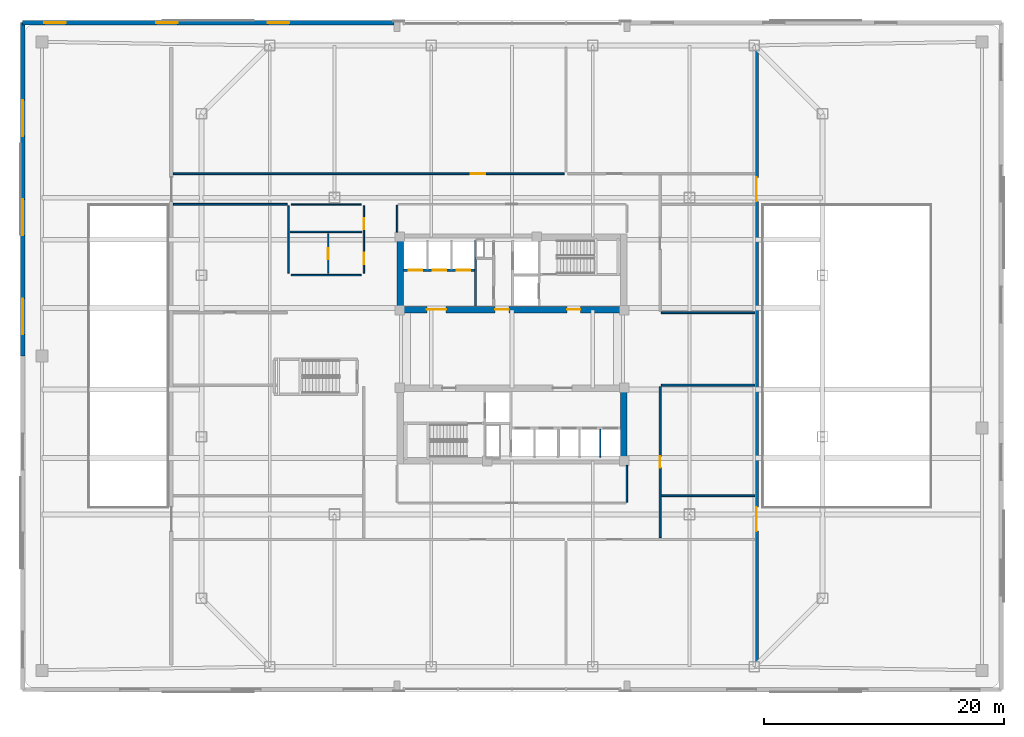
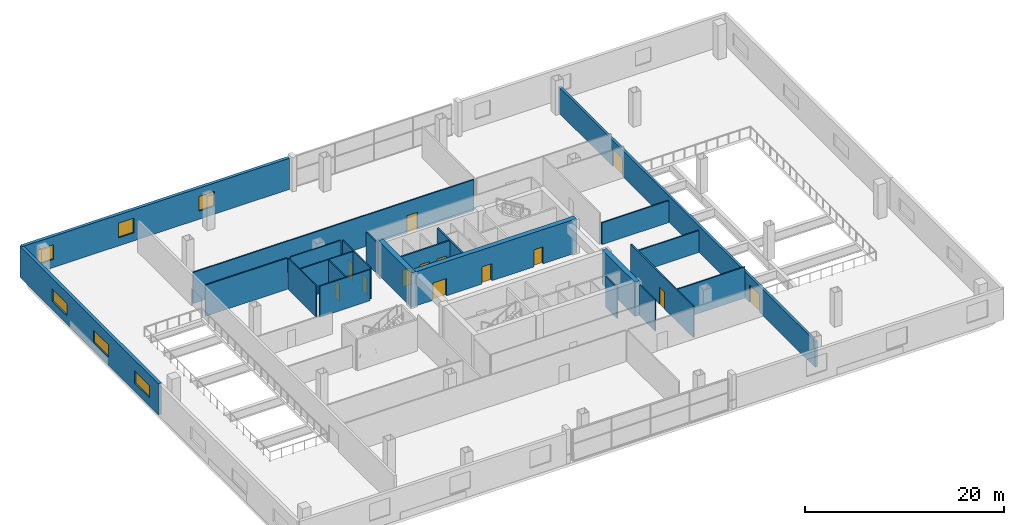
# One storey, part 13 of 21: 23 walls, 13 doors, 6 windows, 19 openings.
"""IFC4 building model written with IfcOpenShell, lengths in metres."""

import ifcopenshell
import ifcopenshell.guid

model = None  # the IFC model being written
_history = None  # IfcOwnerHistory: only IFC2X3 demands one
_inside = {}  # id of a spatial element -> (the spatial element, [elements in it])
_under = {}  # id of a project, library or spatial element -> (it, [spatial elements below it])
_declared = {}  # id of a project -> (the project, [libraries it declares])
_typed = {}  # id of a type object -> (the type object, [elements of that type])
_made_of = {}  # id of a material, layer set ... -> (it, [elements and type objects made of it])


def new_model(schema):
    """Start an empty IFC model of exactly this schema.

    Asked for "IFC4X3", IfcOpenShell would pick the latest addendum, in which some entities
    have other attributes; the version numbers below select the first issue.
    IFC2X3 requires an IfcOwnerHistory on every rooted entity: one is made here for all.
    """
    global model, _history
    if schema == "IFC4X3":
        model = ifcopenshell.file(schema_version=(4, 3, 0, 0))
    else:
        model = ifcopenshell.file(schema=schema)
    _inside.clear()
    _under.clear()
    _declared.clear()
    _typed.clear()
    _made_of.clear()
    _history = None
    if model.schema == "IFC2X3":
        org = make("IfcOrganization", Name="unknown")
        user = make(
            "IfcPersonAndOrganization",
            ThePerson=make("IfcPerson", FamilyName="unknown"),
            TheOrganization=org,
        )
        app = make(
            "IfcApplication",
            ApplicationDeveloper=org,
            Version="unknown",
            ApplicationFullName="unknown",
            ApplicationIdentifier="unknown",
        )
        _history = make(
            "IfcOwnerHistory",
            OwningUser=user,
            OwningApplication=app,
            ChangeAction="ADDED",
            CreationDate=0,
        )
    return model


def make(cls, **values):
    """One entity of the class cls with the attributes given. An attribute that is None is left unset."""
    return model.create_entity(
        cls, **{name: value for name, value in values.items() if value is not None}
    )


def rooted(cls, **values):
    """An entity with a GlobalId (a new one), such as an element, a storey or a relation."""
    return make(cls, GlobalId=ifcopenshell.guid.new(), OwnerHistory=_history, **values)


def si_unit(unit_type, name, prefix=None):
    """IfcSIUnit, for example si_unit("LENGTHUNIT", "METRE", prefix="MILLI")."""
    return make("IfcSIUnit", UnitType=unit_type, Prefix=prefix, Name=name)


def assignment(units):
    """IfcUnitAssignment: the units of a project."""
    return None if units is None else make("IfcUnitAssignment", Units=units)


def point(xyz):
    """IfcCartesianPoint."""
    return None if xyz is None else make("IfcCartesianPoint", Coordinates=xyz)


def direction(xyz):
    """IfcDirection."""
    return None if xyz is None else make("IfcDirection", DirectionRatios=xyz)


def frame(location, z_axis=None, x_axis=None):
    """IfcAxis2Placement3D, a coordinate frame: its origin and axes. An axis left out is left unset."""
    return make(
        "IfcAxis2Placement3D",
        Location=point(location),
        Axis=direction(z_axis),
        RefDirection=direction(x_axis),
    )


def frame_2d(location, x_axis=None):
    """IfcAxis2Placement2D, a coordinate frame in the plane: its origin and x axis."""
    return make(
        "IfcAxis2Placement2D", Location=point(location), RefDirection=direction(x_axis)
    )


def origin():
    """The frame at (0, 0, 0) with its axes left unset."""
    return frame((0.0, 0.0, 0.0))


def place(relative_to, where):
    """IfcLocalPlacement: puts the frame where relative to a parent placement (None: the world)."""
    return make(
        "IfcLocalPlacement", PlacementRelTo=relative_to, RelativePlacement=where
    )


def context(
    kind, dimensions, precision=None, world=None, true_north=None, identifier=None
):
    """IfcGeometricRepresentationContext, for example the 3D "Model" context."""
    return make(
        "IfcGeometricRepresentationContext",
        ContextIdentifier=identifier,
        ContextType=kind,
        CoordinateSpaceDimension=dimensions,
        Precision=precision,
        WorldCoordinateSystem=world,
        TrueNorth=true_north,
    )


def subcontext(parent, identifier, kind, view, scale=None):
    """IfcGeometricRepresentationSubContext, for example "Body" below "Model"."""
    return make(
        "IfcGeometricRepresentationSubContext",
        ContextIdentifier=identifier,
        ContextType=kind,
        ParentContext=parent,
        TargetScale=scale,
        TargetView=view,
    )


def project(units=None, contexts=None):
    """IfcProject with its units and contexts."""
    return rooted(
        "IfcProject",
        Name="project",
        RepresentationContexts=contexts,
        UnitsInContext=assignment(units),
    )


def spatial(cls, under=None, at=None, **own):
    """A site, building, storey or space (cls), placed at a placement, below another one or the project."""
    s = rooted(cls, ObjectPlacement=at, **own)
    if under is not None:
        _under.setdefault(under.id(), (under, []))[1].append(s)
    return s


def profile(cls, at=None, kind="AREA", **sizes):
    """A parametric profile (cls). Its sizes go by their IFC names, for example OverallWidth=200.0."""
    return make(cls, ProfileType=kind, Position=at, **sizes)


def rectangle(**sizes):
    """IfcRectangleProfileDef."""
    return profile("IfcRectangleProfileDef", **sizes)


def extrude(swept, where, along, depth):
    """IfcExtrudedAreaSolid: the profile swept, set in the frame where, extruded along a direction by depth."""
    return make(
        "IfcExtrudedAreaSolid",
        SweptArea=swept,
        Position=where,
        ExtrudedDirection=direction(along),
        Depth=depth,
    )


def shape(context_of_items, identifier, shape_type, items):
    """IfcShapeRepresentation: the items that make up one representation, for example the "Body"."""
    return make(
        "IfcShapeRepresentation",
        ContextOfItems=context_of_items,
        RepresentationIdentifier=identifier,
        RepresentationType=shape_type,
        Items=items,
    )


def material(Name=None, Category=None):
    """IfcMaterial."""
    return make("IfcMaterial", Name=Name, Category=Category)


def layer(
    of_material, thickness, ventilated=None, Name=None, Category=None, Priority=None
):
    """IfcMaterialLayer: one layer of a wall or slab, of a material (None: an air gap)."""
    return make(
        "IfcMaterialLayer",
        Material=of_material,
        LayerThickness=thickness,
        IsVentilated=ventilated,
        Name=Name,
        Category=Category,
        Priority=Priority,
    )


def layer_set(layers, Name=None):
    """IfcMaterialLayerSet."""
    return make("IfcMaterialLayerSet", MaterialLayers=layers, LayerSetName=Name)


def made_of(thing, what):
    """Note that an element or type object is made of a material, layer set ...; save() writes the relation."""
    if what is not None:
        _made_of.setdefault(what.id(), (what, []))[1].append(thing)
    return thing


def type_object(cls, material=None, **own):
    """A type object (cls), such as IfcWallType, which elements share."""
    return made_of(rooted(cls, **own), material)


def element(
    cls,
    number,
    at=None,
    inside=None,
    cuts=None,
    type_object=None,
    material=None,
    context=None,
    identifier="Body",
    shape_type=None,
    held_by="IfcProductDefinitionShape",
    body=None,
    shapes=None,
    **own,
):
    """One element of the class cls, such as IfcWall. Its Tag is "e" and its number.

    at: its placement. inside: the storey or other place that contains it. cuts: it is an
    opening in that element (IfcRelVoidsElement). A single representation is given by context,
    identifier, shape_type and body (its items); several are given by shapes. held_by: the class
    of the entity that holds the representations. save() writes the other relations.
    """
    e = rooted(cls, Tag="e%d" % number, ObjectPlacement=at, **own)
    if body is not None:
        shapes = [shape(context, identifier, shape_type, body)]
    if shapes is not None:
        e.Representation = make(held_by, Representations=shapes)
    if inside is not None:
        _inside.setdefault(inside.id(), (inside, []))[1].append(e)
    if cuts is not None:
        rooted(
            "IfcRelVoidsElement", RelatingBuildingElement=cuts, RelatedOpeningElement=e
        )
    if type_object is not None:
        _typed.setdefault(type_object.id(), (type_object, []))[1].append(e)
    return made_of(e, material)


def fill(opening, filler):
    """IfcRelFillsElement: the door or window that sits in an opening."""
    return rooted(
        "IfcRelFillsElement",
        RelatingOpeningElement=opening,
        RelatedBuildingElement=filler,
    )


def aggregate(whole, parts):
    """IfcRelAggregates: a whole, such as a stair, and the parts it consists of."""
    return rooted("IfcRelAggregates", RelatingObject=whole, RelatedObjects=parts)


def save(model, path):
    """Write the relations noted so far, then the file.

    IfcRelAggregates (storeys below a building ...), IfcRelContainedInSpatialStructure (elements
    in a storey), IfcRelDefinesByType, IfcRelAssociatesMaterial and IfcRelDeclares: one each for
    every whole, place, type object, material and project.
    """
    for whole, parts in _under.values():
        aggregate(whole, parts)
    for where, things in _inside.values():
        rooted(
            "IfcRelContainedInSpatialStructure",
            RelatedElements=things,
            RelatingStructure=where,
        )
    for kind, things in _typed.values():
        rooted("IfcRelDefinesByType", RelatedObjects=things, RelatingType=kind)
    for what, things in _made_of.values():
        rooted("IfcRelAssociatesMaterial", RelatedObjects=things, RelatingMaterial=what)
    for by, libraries in _declared.values():
        rooted("IfcRelDeclares", RelatingContext=by, RelatedDefinitions=libraries)
    model.write(path)


model = new_model("IFC4")

# Units and contexts
model_context = context("Model", 3, precision=1e-05, world=origin(), true_north=direction((0.0, 1.0)))
body_context = subcontext(model_context, "Body", "Model", "MODEL_VIEW")
ifc_project = project(units=[si_unit("LENGTHUNIT", "METRE"), si_unit("AREAUNIT", "SQUARE_METRE"), si_unit("VOLUMEUNIT", "CUBIC_METRE"), si_unit("PLANEANGLEUNIT", "RADIAN"), si_unit("MASSUNIT", "GRAM", prefix="KILO")], contexts=[model_context])

# Site, building, storey
site_placement = place(None, origin())
site = spatial("IfcSite", under=ifc_project, at=site_placement, CompositionType="ELEMENT")
building_placement = place(site_placement, origin())
building = spatial("IfcBuilding", under=site, at=building_placement, Name="Qhalaya Broadcast Tower", CompositionType="ELEMENT")
storey_placement = place(building_placement, frame((0.0, 0.0, 17.699951171875)))
storey = spatial("IfcBuildingStorey", under=building, at=storey_placement, Name="L04", CompositionType="ELEMENT", Elevation=17.699951171875)

# Wall, opening, door
ifc_material_1 = material(Name="Gypsum Acoustic Partition")
ifc_layer_1 = layer(ifc_material_1, 0.14990234375, Name="Gypsum Acoustic Partition")
ifc_layer_set_1 = layer_set([ifc_layer_1], Name="Gypsum Acoustic Partition")
wall_type_1 = type_object("IfcWallType", Name="Corridor & Tenancy Acoustic Partition 150", PredefinedType="PARTITIONING", material=ifc_layer_set_1)
wall_1_placement = place(storey_placement, frame((-28.239990234375, 15.199951171875, 0.0), z_axis=(0.0, 0.0, 1.0), x_axis=(1.0, 0.0, 0.0)))
wall_1 = element("IfcWall", 1, at=wall_1_placement, inside=storey, type_object=wall_type_1, Name="L04 Partition Wall W-STN1L", PredefinedType="PARTITIONING", context=body_context, shape_type="SweptSolid", body=[
    extrude(rectangle(XDim=32.580078125, YDim=0.14990234375, at=frame_2d((16.2900390625, 0.0))), origin(), (0.0, 0.0, 1.0), 3.820068359375),
])
opening_1_placement = place(wall_1_placement, frame((24.81201171875, 0.0, 0.0)))
opening_1 = element("IfcOpeningElement", 2, at=opening_1_placement, cuts=wall_1, Name="Opening D11", PredefinedType="OPENING", context=body_context, shape_type="SweptSolid", body=[
    extrude(rectangle(XDim=1.199951171875, YDim=2.10009765625, at=frame_2d((0.60009765625, 1.050048828125))), frame((0.0, 0.0869140625, 0.0), z_axis=(0.0, -1.0, 0.0), x_axis=(1.0, 0.0, 0.0)), (0.0, 0.0, 1.0), 0.173828125),
])
ifc_material_2 = material(Name="Anodised Aluminium Glazed Door", Category="aluminium")
door_type_1 = type_object("IfcDoorType", Name="Conference, Boardroom & Studio Control Door D11", OperationType="NOTDEFINED", PredefinedType="DOOR", material=ifc_material_2)
door_1_placement = place(opening_1_placement, origin())
door_1 = element("IfcDoor", 3, at=door_1_placement, inside=storey, type_object=door_type_1, Name="L04 Door D-STN1", OperationType="SINGLE_SWING_LEFT", OverallHeight=2.10009765625, OverallWidth=1.199951171875, PredefinedType="DOOR", context=body_context, shape_type="SweptSolid", body=[
    extrude(rectangle(XDim=1.199951171875, YDim=2.10009765625, at=frame_2d((0.60009765625, 1.050048828125))), frame((0.0, 0.02490234375, 0.0), z_axis=(0.0, -1.0, 0.0), x_axis=(1.0, 0.0, 0.0)), (0.0, 0.0, 1.0), 0.050048828125),
])
fill(opening_1, door_1)

wall_2_placement = place(storey_placement, frame((12.35009765625, -15.139892578125, 0.0), z_axis=(0.0, 0.0, 1.0), x_axis=(0.0, 1.0, 0.0)))
wall_2 = element("IfcWall", 4, at=wall_2_placement, inside=storey, type_object=wall_type_1, Name="L04 Partition Wall W-STPES", PredefinedType="PARTITIONING", context=body_context, shape_type="SweptSolid", body=[
    extrude(rectangle(XDim=12.599853515625, YDim=0.14990234375, at=frame_2d((6.2998046875, 0.0))), origin(), (0.0, 0.0, 1.0), 3.820068359375),
])
opening_2_placement = place(wall_2_placement, frame((5.824951171875, 0.0, 0.0)))
opening_2 = element("IfcOpeningElement", 5, at=opening_2_placement, cuts=wall_2, Name="Opening D10", PredefinedType="OPENING", context=body_context, shape_type="SweptSolid", body=[
    extrude(rectangle(XDim=0.949951171875, YDim=2.10009765625, at=frame_2d((0.47509765625, 1.050048828125))), frame((0.0, 0.0869140625, 0.0), z_axis=(0.0, -1.0, 0.0), x_axis=(1.0, 0.0, 0.0)), (0.0, 0.0, 1.0), 0.173828125),
])
ifc_material_3 = material(Name="Timber Veneer Acoustic Door", Category="wood")
door_type_2 = type_object("IfcDoorType", Name="Cellular Office & Edit Booth Door D10", OperationType="NOTDEFINED", PredefinedType="DOOR", material=ifc_material_3)
door_2_placement = place(opening_2_placement, origin())
door_2 = element("IfcDoor", 6, at=door_2_placement, inside=storey, type_object=door_type_2, Name="L04 Door D-STPE1", OperationType="SINGLE_SWING_RIGHT", OverallHeight=2.10009765625, OverallWidth=0.949951171875, PredefinedType="DOOR", context=body_context, shape_type="SweptSolid", body=[
    extrude(rectangle(XDim=0.949951171875, YDim=2.10009765625, at=frame_2d((0.47509765625, 1.050048828125))), frame((0.0, 0.02490234375, 0.0), z_axis=(0.0, -1.0, 0.0), x_axis=(1.0, 0.0, 0.0)), (0.0, 0.0, 1.0), 0.050048828125),
])
fill(opening_2, door_2)

# Walls
for number, where, z_axis, x_axis, name in (
    (7, (12.4599609375, -2.419921875, 0.0), (0.0, 0.0, 1.0), (1.0, 0.0, 0.0), "L04 Partition Wall W-STP-CS"),
    (8, (12.4599609375, 3.6201171875, 0.0), (0.0, 0.0, 1.0), (1.0, 0.0, 0.0), "L04 Partition Wall W-STP-CN"),
):
    element("IfcWall", number, at=place(storey_placement, frame(where, z_axis=z_axis, x_axis=x_axis)), inside=storey, type_object=wall_type_1, Name=name, PredefinedType="PARTITIONING", context=body_context, shape_type="SweptSolid", body=[
        extrude(rectangle(XDim=7.800048828125, YDim=0.14990234375, at=frame_2d((3.89990234375, 0.0))), origin(), (0.0, 0.0, 1.0), 2.68212890625),
    ])
wall_3_placement = place(storey_placement, frame((-28.239990234375, 12.659912109375, 0.0), z_axis=(0.0, 0.0, 1.0), x_axis=(1.0, 0.0, 0.0)))
element("IfcWall", 9, at=wall_3_placement, inside=storey, type_object=wall_type_1, Name="L04 Partition Wall W-GAL-NW", PredefinedType="PARTITIONING", context=body_context, shape_type="SweptSolid", body=[
    extrude(rectangle(XDim=9.47998046875, YDim=0.14990234375, at=frame_2d((4.739990234375, 0.0))), origin(), (0.0, 0.0, 1.0), 3.820068359375),
])
wall_4_placement = place(storey_placement, frame((12.4599609375, -11.64990234375, 0.0), z_axis=(0.0, 0.0, 1.0), x_axis=(1.0, 0.0, 0.0)))
element("IfcWall", 10, at=wall_4_placement, inside=storey, type_object=wall_type_1, Name="L04 Partition Wall W-GAL-SE", PredefinedType="PARTITIONING", context=body_context, shape_type="SweptSolid", body=[
    extrude(rectangle(XDim=7.800048828125, YDim=0.14990234375, at=frame_2d((3.89990234375, 0.0))), origin(), (0.0, 0.0, 1.0), 3.820068359375),
])

# Wall, openings, doors
ifc_layer_2 = layer(ifc_material_1, 0.280029296875, Name="Gypsum Acoustic Partition")
ifc_layer_set_2 = layer_set([ifc_layer_2], Name="Gypsum Acoustic Partition")
wall_type_2 = type_object("IfcWallType", Name="Double-Leaf Soundstage Acoustic Wall 280", PredefinedType="MOVABLE", material=ifc_layer_set_2)
wall_5_placement = place(storey_placement, frame((20.39990234375, -25.739990234375, 0.0), z_axis=(0.0, 0.0, 1.0), x_axis=(0.0, 1.0, 0.0)))
wall_5 = element("IfcWall", 11, at=wall_5_placement, inside=storey, type_object=wall_type_2, Name="L04 Partition Wall W-STBE", PredefinedType="MOVABLE", context=body_context, shape_type="SweptSolid", body=[
    extrude(rectangle(XDim=51.47998046875, YDim=0.280029296875, at=frame_2d((25.739990234375, 0.0))), origin(), (0.0, 0.0, 1.0), 3.193115234375),
])
opening_3_placement = place(wall_5_placement, frame((11.14892578125, 0.0, 0.0)))
opening_3 = element("IfcOpeningElement", 12, at=opening_3_placement, cuts=wall_5, Name="Opening D08", PredefinedType="OPENING", context=body_context, shape_type="SweptSolid", body=[
    extrude(rectangle(XDim=2.0, YDim=2.139892578125, at=frame_2d((1.0, 1.06982421875))), frame((0.0, 0.152099609375, 0.0), z_axis=(0.0, -1.0, 0.0), x_axis=(1.0, 0.0, 0.0)), (0.0, 0.0, 1.0), 0.303955078125),
])
opening_4_placement = place(wall_5_placement, frame((38.639892578125, 0.0, 0.0)))
opening_4 = element("IfcOpeningElement", 13, at=opening_4_placement, cuts=wall_5, Name="Opening D08", PredefinedType="OPENING", context=body_context, shape_type="SweptSolid", body=[
    extrude(rectangle(XDim=2.0, YDim=2.139892578125, at=frame_2d((1.0, 1.06982421875))), frame((0.0, 0.152099609375, 0.0), z_axis=(0.0, -1.0, 0.0), x_axis=(1.0, 0.0, 0.0)), (0.0, 0.0, 1.0), 0.303955078125),
])
ifc_material_4 = material(Name="Acoustic Studio Isolation Steel Door", Category="steel")
door_type_3 = type_object("IfcDoorType", Name="Soundstage Acoustic Isolation Double Door D08", OperationType="DOUBLE_DOOR_SINGLE_SWING", PredefinedType="DOOR", material=ifc_material_4)
door_3_placement = place(opening_3_placement, origin())
door_3 = element("IfcDoor", 14, at=door_3_placement, inside=storey, type_object=door_type_3, Name="L04 Door D-STB1S", OperationType="DOUBLE_DOOR_SINGLE_SWING", OverallHeight=2.139892578125, OverallWidth=2.0, PredefinedType="DOOR", context=body_context, shape_type="SweptSolid", body=[
    extrude(rectangle(XDim=2.0, YDim=2.139892578125, at=frame_2d((1.0, 1.06982421875))), frame((0.0, 0.02490234375, 0.0), z_axis=(0.0, -1.0, 0.0), x_axis=(1.0, 0.0, 0.0)), (0.0, 0.0, 1.0), 0.050048828125),
])
fill(opening_3, door_3)
door_4_placement = place(opening_4_placement, origin())
door_4 = element("IfcDoor", 15, at=door_4_placement, inside=storey, type_object=door_type_3, Name="L04 Door D-STB1N", OperationType="DOUBLE_DOOR_SINGLE_SWING", OverallHeight=2.139892578125, OverallWidth=2.0, PredefinedType="DOOR", context=body_context, shape_type="SweptSolid", body=[
    extrude(rectangle(XDim=2.0, YDim=2.139892578125, at=frame_2d((1.0, 1.06982421875))), frame((0.0, 0.02490234375, 0.0), z_axis=(0.0, -1.0, 0.0), x_axis=(1.0, 0.0, 0.0)), (0.0, 0.0, 1.0), 0.050048828125),
])
fill(opening_4, door_4)

# Wall, openings, windows
ifc_material_5 = material(Name="Precast Concrete C40/50", Category="concrete")
ifc_layer_3 = layer(ifc_material_5, 0.360107421875, Name="Precast Concrete C40/50")
ifc_layer_set_3 = layer_set([ifc_layer_3], Name="Precast Concrete C40/50")
wall_type_3 = type_object("IfcWallType", Name="Insulated Precast Terracotta Exterior Wall 360", PredefinedType="SOLIDWALL", material=ifc_layer_set_3)
wall_6_placement = place(storey_placement, frame((-40.800048828125, 27.800048828125, 0.0), z_axis=(0.0, 0.0, 1.0), x_axis=(1.0, 0.0, 0.0)))
wall_6 = element("IfcWall", 16, at=wall_6_placement, inside=storey, type_object=wall_type_3, Name="L04 Podium Exterior Terracotta Wall EW-NW", PredefinedType="SOLIDWALL", context=body_context, shape_type="SweptSolid", body=[
    extrude(rectangle(XDim=30.9599609375, YDim=0.360107421875, at=frame_2d((15.47998046875, 0.0))), origin(), (0.0, 0.0, 1.0), 3.820068359375),
])
opening_5_placement = place(wall_6_placement, frame((1.800048828125, 0.0, 1.0)))
opening_5 = element("IfcOpeningElement", 17, at=opening_5_placement, cuts=wall_6, Name="Opening W02", PredefinedType="OPENING", context=body_context, shape_type="SweptSolid", body=[
    extrude(rectangle(XDim=1.800048828125, YDim=1.800048828125, at=frame_2d((0.89990234375, 0.89990234375))), frame((0.0, 0.192138671875, 0.0), z_axis=(0.0, -1.0, 0.0), x_axis=(1.0, 0.0, 0.0)), (0.0, 0.0, 1.0), 0.384033203125),
])
opening_6_placement = place(wall_6_placement, frame((11.1201171875, 0.0, 1.0)))
opening_6 = element("IfcOpeningElement", 18, at=opening_6_placement, cuts=wall_6, Name="Opening W02", PredefinedType="OPENING", context=body_context, shape_type="SweptSolid", body=[
    extrude(rectangle(XDim=1.800048828125, YDim=1.800048828125, at=frame_2d((0.89990234375, 0.89990234375))), frame((0.0, 0.192138671875, 0.0), z_axis=(0.0, -1.0, 0.0), x_axis=(1.0, 0.0, 0.0)), (0.0, 0.0, 1.0), 0.384033203125),
])
opening_7_placement = place(wall_6_placement, frame((20.43994140625, 0.0, 1.0)))
opening_7 = element("IfcOpeningElement", 19, at=opening_7_placement, cuts=wall_6, Name="Opening W02", PredefinedType="OPENING", context=body_context, shape_type="SweptSolid", body=[
    extrude(rectangle(XDim=1.800048828125, YDim=1.800048828125, at=frame_2d((0.89990234375, 0.89990234375))), frame((0.0, 0.192138671875, 0.0), z_axis=(0.0, -1.0, 0.0), x_axis=(1.0, 0.0, 0.0)), (0.0, 0.0, 1.0), 0.384033203125),
])
ifc_material_6 = material(Name="Solar-Control Low-E Triple Glazing", Category="glass")
window_type_1 = type_object("IfcWindowType", Name="Podium Production Office Window W02", PartitioningType="SINGLE_PANEL", PredefinedType="WINDOW", material=ifc_material_6)
window_1_placement = place(opening_5_placement, origin())
window_1 = element("IfcWindow", 20, at=window_1_placement, inside=storey, type_object=window_type_1, Name="L04 Facade Window W02-1", OverallHeight=1.800048828125, OverallWidth=1.800048828125, PartitioningType="SINGLE_PANEL", PredefinedType="WINDOW", context=body_context, shape_type="SweptSolid", body=[
    extrude(rectangle(XDim=1.800048828125, YDim=1.800048828125, at=frame_2d((0.89990234375, 0.89990234375))), frame((0.0, 0.030029296875, 0.0), z_axis=(0.0, -1.0, 0.0), x_axis=(1.0, 0.0, 0.0)), (0.0, 0.0, 1.0), 0.06005859375),
])
fill(opening_5, window_1)
window_2_placement = place(opening_6_placement, origin())
window_2 = element("IfcWindow", 21, at=window_2_placement, inside=storey, type_object=window_type_1, Name="L04 Facade Window W02-2", OverallHeight=1.800048828125, OverallWidth=1.800048828125, PartitioningType="SINGLE_PANEL", PredefinedType="WINDOW", context=body_context, shape_type="SweptSolid", body=[
    extrude(rectangle(XDim=1.800048828125, YDim=1.800048828125, at=frame_2d((0.89990234375, 0.89990234375))), frame((0.0, 0.030029296875, 0.0), z_axis=(0.0, -1.0, 0.0), x_axis=(1.0, 0.0, 0.0)), (0.0, 0.0, 1.0), 0.06005859375),
])
fill(opening_6, window_2)
window_3_placement = place(opening_7_placement, origin())
window_3 = element("IfcWindow", 22, at=window_3_placement, inside=storey, type_object=window_type_1, Name="L04 Facade Window W02-3", OverallHeight=1.800048828125, OverallWidth=1.800048828125, PartitioningType="SINGLE_PANEL", PredefinedType="WINDOW", context=body_context, shape_type="SweptSolid", body=[
    extrude(rectangle(XDim=1.800048828125, YDim=1.800048828125, at=frame_2d((0.89990234375, 0.89990234375))), frame((0.0, 0.030029296875, 0.0), z_axis=(0.0, -1.0, 0.0), x_axis=(1.0, 0.0, 0.0)), (0.0, 0.0, 1.0), 0.06005859375),
])
fill(opening_7, window_3)

wall_7_placement = place(storey_placement, frame((-40.800048828125, 0.0, 0.0), z_axis=(0.0, 0.0, 1.0), x_axis=(0.0, 1.0, 0.0)))
wall_7 = element("IfcWall", 23, at=wall_7_placement, inside=storey, type_object=wall_type_3, Name="L04 Podium Exterior Terracotta Wall EW-WN", PredefinedType="SOLIDWALL", context=body_context, shape_type="SweptSolid", body=[
    extrude(rectangle(XDim=27.800048828125, YDim=0.360107421875, at=frame_2d((13.89990234375, 0.0))), origin(), (0.0, 0.0, 1.0), 3.820068359375),
])
opening_8_placement = place(wall_7_placement, frame((1.800048828125, 0.0, 1.0)))
opening_8 = element("IfcOpeningElement", 24, at=opening_8_placement, cuts=wall_7, Name="Opening W03", PredefinedType="OPENING", context=body_context, shape_type="SweptSolid", body=[
    extrude(rectangle(XDim=3.0, YDim=1.5, at=frame_2d((1.5, 0.75))), frame((0.0, 0.192138671875, 0.0), z_axis=(0.0, -1.0, 0.0), x_axis=(1.0, 0.0, 0.0)), (0.0, 0.0, 1.0), 0.384033203125),
])
opening_9_placement = place(wall_7_placement, frame((10.06689453125, 0.0, 1.0)))
opening_9 = element("IfcOpeningElement", 25, at=opening_9_placement, cuts=wall_7, Name="Opening W03", PredefinedType="OPENING", context=body_context, shape_type="SweptSolid", body=[
    extrude(rectangle(XDim=3.0, YDim=1.5, at=frame_2d((1.5, 0.75))), frame((0.0, 0.192138671875, 0.0), z_axis=(0.0, -1.0, 0.0), x_axis=(1.0, 0.0, 0.0)), (0.0, 0.0, 1.0), 0.384033203125),
])
opening_10_placement = place(wall_7_placement, frame((18.3330078125, 0.0, 1.0)))
opening_10 = element("IfcOpeningElement", 26, at=opening_10_placement, cuts=wall_7, Name="Opening W03", PredefinedType="OPENING", context=body_context, shape_type="SweptSolid", body=[
    extrude(rectangle(XDim=3.0, YDim=1.5, at=frame_2d((1.5, 0.75))), frame((0.0, 0.192138671875, 0.0), z_axis=(0.0, -1.0, 0.0), x_axis=(1.0, 0.0, 0.0)), (0.0, 0.0, 1.0), 0.384033203125),
])
window_type_2 = type_object("IfcWindowType", Name="Podium Concourse Clerestory Window W03", PartitioningType="SINGLE_PANEL", PredefinedType="WINDOW", material=ifc_material_6)
window_4_placement = place(opening_8_placement, origin())
window_4 = element("IfcWindow", 27, at=window_4_placement, inside=storey, type_object=window_type_2, Name="L04 Facade Window W03-1", OverallHeight=1.5, OverallWidth=3.0, PartitioningType="SINGLE_PANEL", PredefinedType="WINDOW", context=body_context, shape_type="SweptSolid", body=[
    extrude(rectangle(XDim=3.0, YDim=1.5, at=frame_2d((1.5, 0.75))), frame((0.0, 0.030029296875, 0.0), z_axis=(0.0, -1.0, 0.0), x_axis=(1.0, 0.0, 0.0)), (0.0, 0.0, 1.0), 0.06005859375),
])
fill(opening_8, window_4)
window_5_placement = place(opening_9_placement, origin())
window_5 = element("IfcWindow", 28, at=window_5_placement, inside=storey, type_object=window_type_2, Name="L04 Facade Window W03-2", OverallHeight=1.5, OverallWidth=3.0, PartitioningType="SINGLE_PANEL", PredefinedType="WINDOW", context=body_context, shape_type="SweptSolid", body=[
    extrude(rectangle(XDim=3.0, YDim=1.5, at=frame_2d((1.5, 0.75))), frame((0.0, 0.030029296875, 0.0), z_axis=(0.0, -1.0, 0.0), x_axis=(1.0, 0.0, 0.0)), (0.0, 0.0, 1.0), 0.06005859375),
])
fill(opening_9, window_5)
window_6_placement = place(opening_10_placement, origin())
window_6 = element("IfcWindow", 29, at=window_6_placement, inside=storey, type_object=window_type_2, Name="L04 Facade Window W03-3", OverallHeight=1.5, OverallWidth=3.0, PartitioningType="SINGLE_PANEL", PredefinedType="WINDOW", context=body_context, shape_type="SweptSolid", body=[
    extrude(rectangle(XDim=3.0, YDim=1.5, at=frame_2d((1.5, 0.75))), frame((0.0, 0.030029296875, 0.0), z_axis=(0.0, -1.0, 0.0), x_axis=(1.0, 0.0, 0.0)), (0.0, 0.0, 1.0), 0.06005859375),
])
fill(opening_10, window_6)

# Wall, openings, doors
ifc_material_7 = material(Name="Concrete C60/75", Category="concrete")
ifc_layer_4 = layer(ifc_material_7, 0.550048828125, Name="Concrete C60/75")
ifc_layer_set_4 = layer_set([ifc_layer_4], Name="Concrete C60/75")
wall_type_4 = type_object("IfcWallType", Name="Lower Split-Core Shear Wall 550", PredefinedType="SHEAR", material=ifc_layer_set_4)
wall_8_placement = place(storey_placement, frame((-9.60009765625, 3.875, 0.0), z_axis=(0.0, 0.0, 1.0), x_axis=(1.0, 0.0, 0.0)))
wall_8 = element("IfcWall", 30, at=wall_8_placement, inside=storey, type_object=wall_type_4, Name="L04 Split-Core Shear Wall CW-NS", PredefinedType="SHEAR", context=body_context, shape_type="SweptSolid", body=[
    extrude(rectangle(XDim=19.2001953125, YDim=0.550048828125, at=frame_2d((9.60009765625, 0.0))), origin(), (0.0, 0.0, 1.0), 4.199951171875),
])
opening_11_placement = place(wall_8_placement, frame((14.199951171875, 0.0, 0.0)))
opening_11 = element("IfcOpeningElement", 31, at=opening_11_placement, cuts=wall_8, Name="Opening D04", PredefinedType="OPENING", context=body_context, shape_type="SweptSolid", body=[
    extrude(rectangle(XDim=1.10009765625, YDim=2.080078125, at=frame_2d((0.550048828125, 1.0400390625))), frame((0.0, 0.287109375, 0.0), z_axis=(0.0, -1.0, 0.0), x_axis=(1.0, 0.0, 0.0)), (0.0, 0.0, 1.0), 0.573974609375),
])
opening_12_placement = place(wall_8_placement, frame((8.199951171875, 0.0, 0.0)))
opening_12 = element("IfcOpeningElement", 32, at=opening_12_placement, cuts=wall_8, Name="Opening D05", PredefinedType="OPENING", context=body_context, shape_type="SweptSolid", body=[
    extrude(rectangle(XDim=1.14990234375, YDim=2.10009765625, at=frame_2d((0.574951171875, 1.050048828125))), frame((0.0, 0.287109375, 0.0), z_axis=(0.0, -1.0, 0.0), x_axis=(1.0, 0.0, 0.0)), (0.0, 0.0, 1.0), 0.573974609375),
])
opening_13_placement = place(wall_8_placement, frame((2.5, 0.0, 0.0)))
opening_13 = element("IfcOpeningElement", 33, at=opening_13_placement, cuts=wall_8, Name="Opening D07", PredefinedType="OPENING", context=body_context, shape_type="SweptSolid", body=[
    extrude(rectangle(XDim=1.60009765625, YDim=2.1201171875, at=frame_2d((0.800048828125, 1.06005859375))), frame((0.0, 0.287109375, 0.0), z_axis=(0.0, -1.0, 0.0), x_axis=(1.0, 0.0, 0.0)), (0.0, 0.0, 1.0), 0.573974609375),
])
ifc_material_8 = material(Name="Fire-Rated Steel Door", Category="steel")
door_type_4 = type_object("IfcDoorType", Name="Firefighting Lobby Rated Door D04", OperationType="NOTDEFINED", PredefinedType="DOOR", material=ifc_material_8)
door_5_placement = place(opening_11_placement, origin())
door_5 = element("IfcDoor", 34, at=door_5_placement, inside=storey, type_object=door_type_4, Name="L04 Door D-NFF", OperationType="SINGLE_SWING_RIGHT", OverallHeight=2.080078125, OverallWidth=1.10009765625, PredefinedType="DOOR", context=body_context, shape_type="SweptSolid", body=[
    extrude(rectangle(XDim=1.10009765625, YDim=2.080078125, at=frame_2d((0.550048828125, 1.0400390625))), frame((0.0, 0.02490234375, 0.0), z_axis=(0.0, -1.0, 0.0), x_axis=(1.0, 0.0, 0.0)), (0.0, 0.0, 1.0), 0.050048828125),
])
fill(opening_11, door_5)
door_type_5 = type_object("IfcDoorType", Name="Passenger Lift Lobby Double Glazed Door D07", OperationType="DOUBLE_DOOR_SINGLE_SWING", PredefinedType="DOOR", material=ifc_material_2)
door_6_placement = place(opening_13_placement, origin())
door_6 = element("IfcDoor", 35, at=door_6_placement, inside=storey, type_object=door_type_5, Name="L04 Door D-NPLL", OperationType="DOUBLE_DOOR_SINGLE_SWING", OverallHeight=2.1201171875, OverallWidth=1.60009765625, PredefinedType="DOOR", context=body_context, shape_type="SweptSolid", body=[
    extrude(rectangle(XDim=1.60009765625, YDim=2.1201171875, at=frame_2d((0.800048828125, 1.06005859375))), frame((0.0, 0.02490234375, 0.0), z_axis=(0.0, -1.0, 0.0), x_axis=(1.0, 0.0, 0.0)), (0.0, 0.0, 1.0), 0.050048828125),
])
fill(opening_13, door_6)
door_type_6 = type_object("IfcDoorType", Name="Refuge & Plant Room Fire Door D05", OperationType="NOTDEFINED", PredefinedType="DOOR", material=ifc_material_8)
door_7_placement = place(opening_12_placement, origin())
door_7 = element("IfcDoor", 36, at=door_7_placement, inside=storey, type_object=door_type_6, Name="L04 Door D-NSVL", OperationType="SINGLE_SWING_LEFT", OverallHeight=2.10009765625, OverallWidth=1.14990234375, PredefinedType="DOOR", context=body_context, shape_type="SweptSolid", body=[
    extrude(rectangle(XDim=1.14990234375, YDim=2.10009765625, at=frame_2d((0.574951171875, 1.050048828125))), frame((0.0, 0.02490234375, 0.0), z_axis=(0.0, -1.0, 0.0), x_axis=(1.0, 0.0, 0.0)), (0.0, 0.0, 1.0), 0.050048828125),
])
fill(opening_12, door_7)

# Walls
wall_9_placement = place(storey_placement, frame((-9.324951171875, 3.60009765625, 0.0), z_axis=(0.0, 0.0, 1.0), x_axis=(0.0, 1.0, 0.0)))
element("IfcWall", 37, at=wall_9_placement, inside=storey, type_object=wall_type_4, Name="L04 Split-Core Shear Wall CW-NW", PredefinedType="SHEAR", context=body_context, shape_type="SweptSolid", body=[
    extrude(rectangle(XDim=6.599853515625, YDim=0.550048828125, at=frame_2d((3.2998046875, 0.0))), origin(), (0.0, 0.0, 1.0), 4.199951171875),
])
wall_10_placement = place(storey_placement, frame((9.324951171875, -9.0, 0.0), z_axis=(0.0, 0.0, 1.0), x_axis=(0.0, 1.0, 0.0)))
element("IfcWall", 38, at=wall_10_placement, inside=storey, type_object=wall_type_4, Name="L04 Split-Core Shear Wall CW-SE", PredefinedType="SHEAR", context=body_context, shape_type="SweptSolid", body=[
    extrude(rectangle(XDim=6.60009765625, YDim=0.550048828125, at=frame_2d((3.300048828125, 0.0))), origin(), (0.0, 0.0, 1.0), 4.199951171875),
])
ifc_layer_5 = layer(ifc_material_1, 0.1201171875, Name="Gypsum Acoustic Partition")
ifc_layer_set_5 = layer_set([ifc_layer_5], Name="Gypsum Acoustic Partition")
wall_type_5 = type_object("IfcWallType", Name="Office, Booth & Sanitary Partition 120", PredefinedType="PARTITIONING", material=ifc_layer_set_5)
wall_11_placement = place(storey_placement, frame((7.360107421875, -8.429931640625, 0.0), z_axis=(0.0, 0.0, 1.0), x_axis=(0.0, 1.0, 0.0)))
element("IfcWall", 39, at=wall_11_placement, inside=storey, type_object=wall_type_5, Name="L04 Partition Wall SCW-HD7", PredefinedType="PARTITIONING", context=body_context, shape_type="SweptSolid", body=[
    extrude(rectangle(XDim=2.329833984375, YDim=0.1201171875, at=frame_2d((1.1650390625, 0.0))), origin(), (0.0, 0.0, 1.0), 3.820068359375),
])
for number, where, z_axis, x_axis, name in (
    (40, (-18.419921875, 6.75, 0.0), (0.0, 0.0, 1.0), (1.0, 0.0, 0.0), "L04 Partition Wall W-PWCS"),
    (41, (-18.419921875, 12.639892578125, 0.0), (0.0, 0.0, 1.0), (1.0, 0.0, 0.0), "L04 Partition Wall W-PWCN"),
):
    element("IfcWall", number, at=place(storey_placement, frame(where, z_axis=z_axis, x_axis=x_axis)), inside=storey, type_object=wall_type_5, Name=name, PredefinedType="PARTITIONING", context=body_context, shape_type="SweptSolid", body=[
        extrude(rectangle(XDim=5.83984375, YDim=0.1201171875, at=frame_2d((2.919921875, 0.0))), origin(), (0.0, 0.0, 1.0), 3.820068359375),
    ])
wall_12_placement = place(storey_placement, frame((-18.64990234375, 6.909912109375, 0.0), z_axis=(0.0, 0.0, 1.0), x_axis=(0.0, 1.0, 0.0)))
element("IfcWall", 42, at=wall_12_placement, inside=storey, type_object=wall_type_5, Name="L04 Partition Wall W-PWCW", PredefinedType="PARTITIONING", context=body_context, shape_type="SweptSolid", body=[
    extrude(rectangle(XDim=5.610107421875, YDim=0.1201171875, at=frame_2d((2.80517578125, 0.0))), origin(), (0.0, 0.0, 1.0), 3.820068359375),
])
wall_13_placement = place(storey_placement, frame((-18.489990234375, 10.35009765625, 0.0), z_axis=(0.0, 0.0, 1.0), x_axis=(1.0, 0.0, 0.0)))
element("IfcWall", 43, at=wall_13_placement, inside=storey, type_object=wall_type_5, Name="L04 Partition Wall W-PWCM", PredefinedType="PARTITIONING", context=body_context, shape_type="SweptSolid", body=[
    extrude(rectangle(XDim=5.97998046875, YDim=0.1201171875, at=frame_2d((2.989990234375, 0.0))), origin(), (0.0, 0.0, 1.0), 3.820068359375),
])

# Wall, opening, door
wall_14_placement = place(storey_placement, frame((-15.320068359375, 6.909912109375, 0.0), z_axis=(0.0, 0.0, 1.0), x_axis=(0.0, 1.0, 0.0)))
wall_14 = element("IfcWall", 44, at=wall_14_placement, inside=storey, type_object=wall_type_5, Name="L04 Partition Wall W-PWCD", PredefinedType="PARTITIONING", context=body_context, shape_type="SweptSolid", body=[
    extrude(rectangle(XDim=3.280029296875, YDim=0.1201171875, at=frame_2d((1.64013671875, 0.0))), origin(), (0.0, 0.0, 1.0), 3.820068359375),
])
opening_14_placement = place(wall_14_placement, frame((1.1650390625, 0.0, 0.0)))
opening_14 = element("IfcOpeningElement", 45, at=opening_14_placement, cuts=wall_14, Name="Opening D12", PredefinedType="OPENING", context=body_context, shape_type="SweptSolid", body=[
    extrude(rectangle(XDim=0.919921875, YDim=2.10009765625, at=frame_2d((0.4599609375, 1.050048828125))), frame((0.0, 0.072021484375, 0.0), z_axis=(0.0, -1.0, 0.0), x_axis=(1.0, 0.0, 0.0)), (0.0, 0.0, 1.0), 0.14404296875),
])
door_type_7 = type_object("IfcDoorType", Name="Accessible WC & Restroom Door D12", OperationType="NOTDEFINED", PredefinedType="DOOR", material=ifc_material_3)
door_8_placement = place(opening_14_placement, origin())
door_8 = element("IfcDoor", 46, at=door_8_placement, inside=storey, type_object=door_type_7, Name="L04 Door D-PWCA", OperationType="SINGLE_SWING_LEFT", OverallHeight=2.10009765625, OverallWidth=0.919921875, PredefinedType="DOOR", context=body_context, shape_type="SweptSolid", body=[
    extrude(rectangle(XDim=0.919921875, YDim=2.10009765625, at=frame_2d((0.4599609375, 1.050048828125))), frame((0.0, 0.02490234375, 0.0), z_axis=(0.0, -1.0, 0.0), x_axis=(1.0, 0.0, 0.0)), (0.0, 0.0, 1.0), 0.050048828125),
])
fill(opening_14, door_8)

# Wall, openings, doors
wall_15_placement = place(storey_placement, frame((-12.35009765625, 6.909912109375, 0.0), z_axis=(0.0, 0.0, 1.0), x_axis=(0.0, 1.0, 0.0)))
wall_15 = element("IfcWall", 47, at=wall_15_placement, inside=storey, type_object=wall_type_5, Name="L04 Partition Wall W-PWCE", PredefinedType="PARTITIONING", context=body_context, shape_type="SweptSolid", body=[
    extrude(rectangle(XDim=5.610107421875, YDim=0.1201171875, at=frame_2d((2.80517578125, 0.0))), origin(), (0.0, 0.0, 1.0), 3.820068359375),
])
opening_15_placement = place(wall_15_placement, frame((0.759033203125, 0.0, 0.0)))
opening_15 = element("IfcOpeningElement", 48, at=opening_15_placement, cuts=wall_15, Name="Opening D10", PredefinedType="OPENING", context=body_context, shape_type="SweptSolid", body=[
    extrude(rectangle(XDim=0.949951171875, YDim=2.10009765625, at=frame_2d((0.47509765625, 1.050048828125))), frame((0.0, 0.072021484375, 0.0), z_axis=(0.0, -1.0, 0.0), x_axis=(1.0, 0.0, 0.0)), (0.0, 0.0, 1.0), 0.14404296875),
])
opening_16_placement = place(wall_15_placement, frame((3.676025390625, 0.0, 0.0)))
opening_16 = element("IfcOpeningElement", 49, at=opening_16_placement, cuts=wall_15, Name="Opening D12", PredefinedType="OPENING", context=body_context, shape_type="SweptSolid", body=[
    extrude(rectangle(XDim=0.919921875, YDim=2.10009765625, at=frame_2d((0.4599609375, 1.050048828125))), frame((0.0, 0.072021484375, 0.0), z_axis=(0.0, -1.0, 0.0), x_axis=(1.0, 0.0, 0.0)), (0.0, 0.0, 1.0), 0.14404296875),
])
door_9_placement = place(opening_16_placement, origin())
door_9 = element("IfcDoor", 50, at=door_9_placement, inside=storey, type_object=door_type_7, Name="L04 Door D-PWCM", OperationType="SINGLE_SWING_LEFT", OverallHeight=2.10009765625, OverallWidth=0.919921875, PredefinedType="DOOR", context=body_context, shape_type="SweptSolid", body=[
    extrude(rectangle(XDim=0.919921875, YDim=2.10009765625, at=frame_2d((0.4599609375, 1.050048828125))), frame((0.0, 0.02490234375, 0.0), z_axis=(0.0, -1.0, 0.0), x_axis=(1.0, 0.0, 0.0)), (0.0, 0.0, 1.0), 0.050048828125),
])
fill(opening_16, door_9)
door_10_placement = place(opening_15_placement, origin())
door_10 = element("IfcDoor", 51, at=door_10_placement, inside=storey, type_object=door_type_2, Name="L04 Door D-PWCP", OperationType="SINGLE_SWING_RIGHT", OverallHeight=2.10009765625, OverallWidth=0.949951171875, PredefinedType="DOOR", context=body_context, shape_type="SweptSolid", body=[
    extrude(rectangle(XDim=0.949951171875, YDim=2.10009765625, at=frame_2d((0.47509765625, 1.050048828125))), frame((0.0, 0.02490234375, 0.0), z_axis=(0.0, -1.0, 0.0), x_axis=(1.0, 0.0, 0.0)), (0.0, 0.0, 1.0), 0.050048828125),
])
fill(opening_15, door_10)

# Walls
wall_16_placement = place(storey_placement, frame((-9.580078125, 10.31005859375, 0.0), z_axis=(0.0, 0.0, 1.0), x_axis=(0.0, 1.0, 0.0)))
element("IfcWall", 52, at=wall_16_placement, inside=storey, type_object=wall_type_5, Name="L04 Partition Wall W-PCSHNW", PredefinedType="PARTITIONING", context=body_context, shape_type="SweptSolid", body=[
    extrude(rectangle(XDim=2.280029296875, YDim=0.1201171875, at=frame_2d((1.14013671875, 0.0))), origin(), (0.0, 0.0, 1.0), 3.820068359375),
])
wall_17_placement = place(storey_placement, frame((9.580078125, -12.18994140625, 0.0), z_axis=(0.0, 0.0, 1.0), x_axis=(0.0, 1.0, 0.0)))
element("IfcWall", 53, at=wall_17_placement, inside=storey, type_object=wall_type_5, Name="L04 Partition Wall W-PCSHSE", PredefinedType="PARTITIONING", context=body_context, shape_type="SweptSolid", body=[
    extrude(rectangle(XDim=3.079833984375, YDim=0.1201171875, at=frame_2d((1.5400390625, 0.0))), origin(), (0.0, 0.0, 1.0), 3.820068359375),
])
ifc_layer_6 = layer(ifc_material_1, 0.175048828125, Name="Gypsum Acoustic Partition")
ifc_layer_set_6 = layer_set([ifc_layer_6], Name="Gypsum Acoustic Partition")
wall_type_6 = type_object("IfcWallType", Name="Shaft & Riser Fire Partition 175", PredefinedType="PARTITIONING", material=ifc_layer_set_6)
wall_18_placement = place(storey_placement, frame((-3.0400390625, 4.169921875, 0.0), z_axis=(0.0, 0.0, 1.0), x_axis=(0.0, 1.0, 0.0)))
element("IfcWall", 54, at=wall_18_placement, inside=storey, type_object=wall_type_6, Name="L04 Partition Wall NCW-VRW", PredefinedType="PARTITIONING", context=body_context, shape_type="SweptSolid", body=[
    extrude(rectangle(XDim=5.4599609375, YDim=0.175048828125, at=frame_2d((2.72998046875, 0.0))), origin(), (0.0, 0.0, 1.0), 3.820068359375),
])

# Wall, openings, doors
wall_19_placement = place(storey_placement, frame((-9.030029296875, 7.159912109375, 0.0), z_axis=(0.0, 0.0, 1.0), x_axis=(1.0, 0.0, 0.0)))
wall_19 = element("IfcWall", 55, at=wall_19_placement, inside=storey, type_object=wall_type_6, Name="L04 Partition Wall NCW-PLB", PredefinedType="PARTITIONING", context=body_context, shape_type="SweptSolid", body=[
    extrude(rectangle(XDim=5.909912109375, YDim=0.175048828125, at=frame_2d((2.955078125, 0.0))), origin(), (0.0, 0.0, 1.0), 3.820068359375),
])
opening_17_placement = place(wall_19_placement, frame((0.429931640625, 0.0, 0.0)))
opening_17 = element("IfcOpeningElement", 56, at=opening_17_placement, cuts=wall_19, Name="Opening LD1", PredefinedType="OPENING", context=body_context, shape_type="SweptSolid", body=[
    extrude(rectangle(XDim=1.10009765625, YDim=2.06005859375, at=frame_2d((0.550048828125, 1.030029296875))), frame((0.0, 0.099609375, 0.0), z_axis=(0.0, -1.0, 0.0), x_axis=(1.0, 0.0, 0.0)), (0.0, 0.0, 1.0), 0.198974609375),
])
opening_18_placement = place(wall_19_placement, frame((2.429931640625, 0.0, 0.0)))
opening_18 = element("IfcOpeningElement", 57, at=opening_18_placement, cuts=wall_19, Name="Opening LD1", PredefinedType="OPENING", context=body_context, shape_type="SweptSolid", body=[
    extrude(rectangle(XDim=1.10009765625, YDim=2.06005859375, at=frame_2d((0.550048828125, 1.030029296875))), frame((0.0, 0.099609375, 0.0), z_axis=(0.0, -1.0, 0.0), x_axis=(1.0, 0.0, 0.0)), (0.0, 0.0, 1.0), 0.198974609375),
])
opening_19_placement = place(wall_19_placement, frame((4.429931640625, 0.0, 0.0)))
opening_19 = element("IfcOpeningElement", 58, at=opening_19_placement, cuts=wall_19, Name="Opening LD1", PredefinedType="OPENING", context=body_context, shape_type="SweptSolid", body=[
    extrude(rectangle(XDim=1.10009765625, YDim=2.06005859375, at=frame_2d((0.550048828125, 1.030029296875))), frame((0.0, 0.099609375, 0.0), z_axis=(0.0, -1.0, 0.0), x_axis=(1.0, 0.0, 0.0)), (0.0, 0.0, 1.0), 0.198974609375),
])
ifc_material_9 = material(Name="Brushed Stainless Steel Lift Door", Category="steel")
door_type_8 = type_object("IfcDoorType", Name="Passenger Lift Sliding Landing Door LD1", OperationType="DOUBLE_DOOR_SLIDING", PredefinedType="DOOR", material=ifc_material_9)
door_11_placement = place(opening_17_placement, origin())
door_11 = element("IfcDoor", 59, at=door_11_placement, inside=storey, type_object=door_type_8, Name="L04 Door LD-P1", OperationType="DOUBLE_DOOR_SLIDING", OverallHeight=2.06005859375, OverallWidth=1.10009765625, PredefinedType="DOOR", context=body_context, shape_type="SweptSolid", body=[
    extrude(rectangle(XDim=1.10009765625, YDim=2.06005859375, at=frame_2d((0.550048828125, 1.030029296875))), frame((0.0, 0.02490234375, 0.0), z_axis=(0.0, -1.0, 0.0), x_axis=(1.0, 0.0, 0.0)), (0.0, 0.0, 1.0), 0.050048828125),
])
fill(opening_17, door_11)
door_12_placement = place(opening_18_placement, origin())
door_12 = element("IfcDoor", 60, at=door_12_placement, inside=storey, type_object=door_type_8, Name="L04 Door LD-P2", OperationType="DOUBLE_DOOR_SLIDING", OverallHeight=2.06005859375, OverallWidth=1.10009765625, PredefinedType="DOOR", context=body_context, shape_type="SweptSolid", body=[
    extrude(rectangle(XDim=1.10009765625, YDim=2.06005859375, at=frame_2d((0.550048828125, 1.030029296875))), frame((0.0, 0.02490234375, 0.0), z_axis=(0.0, -1.0, 0.0), x_axis=(1.0, 0.0, 0.0)), (0.0, 0.0, 1.0), 0.050048828125),
])
fill(opening_18, door_12)
door_13_placement = place(opening_19_placement, origin())
door_13 = element("IfcDoor", 61, at=door_13_placement, inside=storey, type_object=door_type_8, Name="L04 Door LD-P3", OperationType="DOUBLE_DOOR_SLIDING", OverallHeight=2.06005859375, OverallWidth=1.10009765625, PredefinedType="DOOR", context=body_context, shape_type="SweptSolid", body=[
    extrude(rectangle(XDim=1.10009765625, YDim=2.06005859375, at=frame_2d((0.550048828125, 1.030029296875))), frame((0.0, 0.02490234375, 0.0), z_axis=(0.0, -1.0, 0.0), x_axis=(1.0, 0.0, 0.0)), (0.0, 0.0, 1.0), 0.050048828125),
])
fill(opening_19, door_13)

save(model, "model.ifc")
